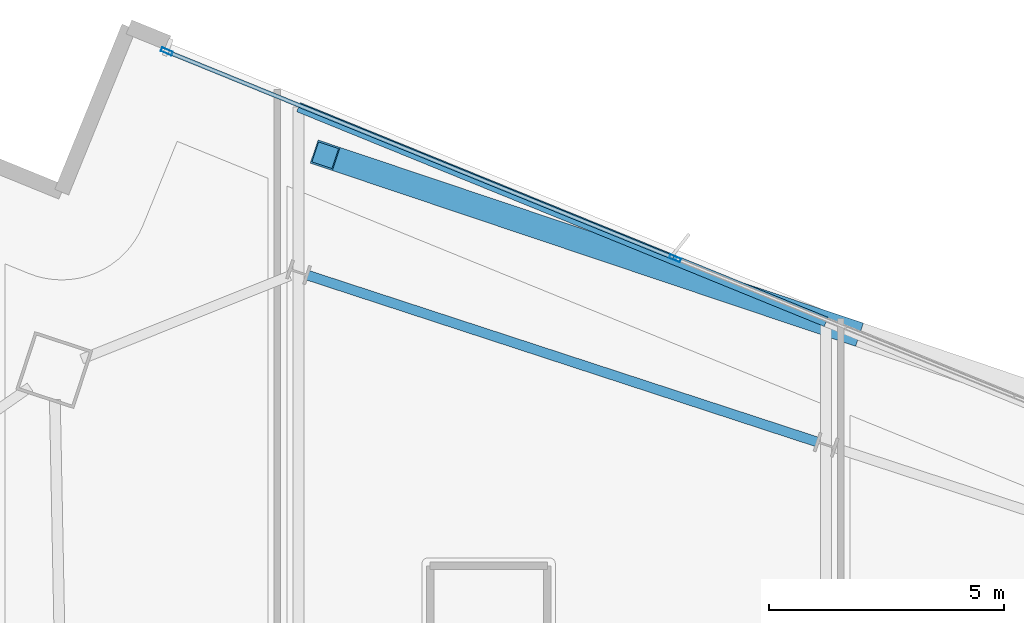
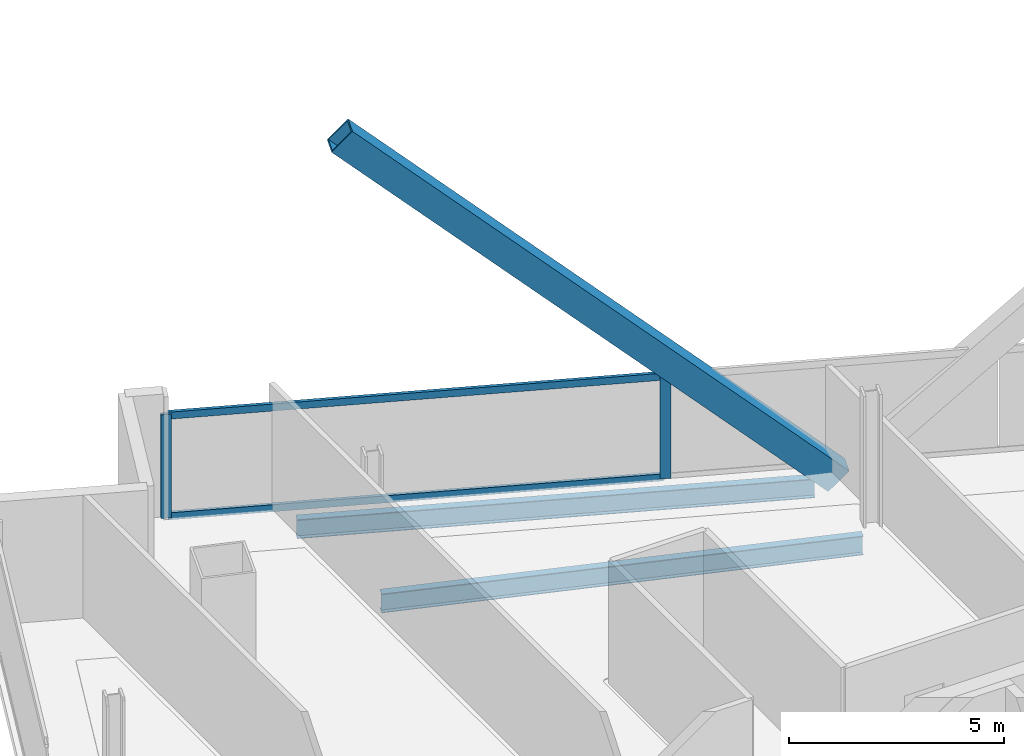
# One storey, part 19 of 31: 5 members, 2 beams, 1 element without a shape of its own.
"""IFC4 building model written with IfcOpenShell, lengths in metres."""

from ifc_helpers import new_model, si_unit, direction, frame, origin, origin_2d, place, context, subcontext, project, spatial, hollow_rectangle, i_section, extrude, material, material_profile, profile_set, type_object, element, aggregate, save


model = new_model("IFC4")

# Units and contexts
model_context = context("Model", 3, precision=1e-05, world=origin(), true_north=direction((0.0, 1.0)))
body_context = subcontext(model_context, "Body", "Model", "MODEL_VIEW")
ifc_project = project(units=[si_unit("LENGTHUNIT", "METRE"), si_unit("AREAUNIT", "SQUARE_METRE"), si_unit("VOLUMEUNIT", "CUBIC_METRE"), si_unit("PLANEANGLEUNIT", "RADIAN"), si_unit("MASSUNIT", "GRAM", prefix="KILO")], contexts=[model_context])

# Site, building, storey
site_placement = place(None, origin())
site = spatial("IfcSite", under=ifc_project, at=site_placement, CompositionType="ELEMENT")
building_placement = place(site_placement, origin())
building = spatial("IfcBuilding", under=site, at=building_placement, Name="Haldenkirk Collegiate Tower", CompositionType="ELEMENT")
storey_placement = place(building_placement, frame((0.0, 0.0, 256.199951171875)))
storey = spatial("IfcBuildingStorey", under=building, at=storey_placement, Name="L64", CompositionType="ELEMENT", Elevation=256.199951171875)

# Beams
ifc_material_1 = material(Name="Steel ASTM A992 Grade 50", Category="steel")
ifc_material_profile_1 = material_profile(ifc_material_1, i_section(OverallWidth=0.2099609375, OverallDepth=0.537109375, WebThickness=0.010986328125, FlangeThickness=0.017333984375, at=origin_2d()), Name="W21X68")
ifc_profile_set_1 = profile_set([ifc_material_profile_1], Name="Steel ASTM A992 Grade 50")
beam_type = type_object("IfcBeamType", Name="BM-SPANDREL-W21X68", PredefinedType="SPANDREL", material=ifc_profile_set_1)
beam_1_placement = place(storey_placement, frame((42.99755859375, 45.54296875, -0.538330078125), z_axis=(-0.950408846531, 0.311003254701, 0.0), x_axis=(-0.311003254701, -0.950408846531, 0.0)))
element("IfcBeam", 1, at=beam_1_placement, inside=storey, type_object=beam_type, Name="L64 perimeter spandrel beam 07", PredefinedType="SPANDREL", context=body_context, shape_type="SweptSolid", body=[
    extrude(i_section(OverallWidth=0.2099609375, OverallDepth=0.537109375, WebThickness=0.010986328125, FlangeThickness=0.017333984375, at=origin_2d()), origin(), (0.0, 0.0, 1.0), 11.421875),
])
beam_2_placement = place(storey_placement, frame((43.18994140625, 48.10009765625, -0.538330078125), z_axis=(-0.92620088154, 0.377030405982, 0.0), x_axis=(-0.377030405982, -0.92620088154, 0.0)))
element("IfcBeam", 2, at=beam_2_placement, inside=storey, type_object=beam_type, Name="L64 outer facade edge beam 2B", PredefinedType="SPANDREL", context=body_context, shape_type="SweptSolid", body=[
    extrude(i_section(OverallWidth=0.2099609375, OverallDepth=0.537109375, WebThickness=0.010986328125, FlangeThickness=0.017333984375, at=origin_2d()), origin(), (0.0, 0.0, 1.0), 12.13623046875),
])

# Curtain wall, members
ifc_material_2 = material(Name="Anodised architectural bronze aluminium", Category="aluminium")
curtain_wall_type = type_object("IfcCurtainWallType", Name="CW-SYS1B-CONVEX-HI", PredefinedType="USERDEFINED", material=ifc_material_2)
curtain_wall_placement = place(storey_placement, origin())
curtain_wall = element("IfcCurtainWall", 3, at=curtain_wall_placement, inside=storey, type_object=curtain_wall_type, Name="L64 Upper tower high-wind convex bronze unitised curtain wall", ObjectType="UNITISED CURTAIN WALL", PredefinedType="USERDEFINED")
ifc_material_profile_2 = material_profile(ifc_material_2, hollow_rectangle(XDim=0.0849609375, YDim=0.25, WallThickness=0.0048828125, at=origin_2d()), Name="CW-MUL-1B")
ifc_profile_set_2 = profile_set([ifc_material_profile_2], Name="Anodised architectural bronze aluminium")
member_type_1 = type_object("IfcMemberType", Name="CW-MUL-1B", PredefinedType="MULLION", material=ifc_profile_set_2)
member_1_placement = place(storey_placement, frame((29.141357421875, 53.8623046875, 0.0), z_axis=(0.0, 0.0, 1.0), x_axis=(0.377034271745, 0.926199307886, 0.0)))
member_1 = element("IfcMember", 4, at=member_1_placement, type_object=member_type_1, Name="CW-1B mullion 1", PredefinedType="MULLION", context=body_context, shape_type="SweptSolid", body=[
    extrude(hollow_rectangle(XDim=0.0849609375, YDim=0.25, WallThickness=0.0048828125, at=origin_2d()), origin(), (0.0, 0.0, 1.0), 2.93798828125),
])
member_2_placement = place(storey_placement, frame((39.96923828125, 49.454345703125, 0.0), z_axis=(0.0, 0.0, 1.0), x_axis=(0.377034271745, 0.926199307886, 0.0)))
member_2 = element("IfcMember", 5, at=member_2_placement, type_object=member_type_1, Name="CW-1B mullion 2", PredefinedType="MULLION", context=body_context, shape_type="SweptSolid", body=[
    extrude(hollow_rectangle(XDim=0.0849609375, YDim=0.25, WallThickness=0.0048828125, at=origin_2d()), origin(), (0.0, 0.0, 1.0), 2.93798828125),
])
ifc_material_profile_3 = material_profile(ifc_material_2, hollow_rectangle(XDim=0.0849609375, YDim=0.199951171875, WallThickness=0.0048828125, at=origin_2d()), Name="CW-TRN-1B")
ifc_profile_set_3 = profile_set([ifc_material_profile_3], Name="Anodised architectural bronze aluminium")
member_type_2 = type_object("IfcMemberType", Name="CW-TRN-1B", PredefinedType="USERDEFINED", material=ifc_profile_set_3)
member_3_placement = place(storey_placement, frame((29.1806640625, 53.84619140625, 0.04248046875), z_axis=(0.926200670133, -0.377030925317, 0.0), x_axis=(0.377030925317, 0.926200670133, 0.0)))
member_3 = element("IfcMember", 6, at=member_3_placement, type_object=member_type_2, Name="CW-1B transom 1.1", ObjectType="TRANSOM", PredefinedType="USERDEFINED", context=body_context, shape_type="SweptSolid", body=[
    extrude(hollow_rectangle(XDim=0.0849609375, YDim=0.199951171875, WallThickness=0.0048828125, at=origin_2d()), origin(), (0.0, 0.0, 1.0), 11.605712890625),
])
member_4_placement = place(storey_placement, frame((29.1806640625, 53.84619140625, 2.8955078125), z_axis=(0.926200670133, -0.377030925317, 0.0), x_axis=(0.377030925317, 0.926200670133, 0.0)))
member_4 = element("IfcMember", 7, at=member_4_placement, type_object=member_type_2, Name="CW-1B transom 1.2", ObjectType="TRANSOM", PredefinedType="USERDEFINED", context=body_context, shape_type="SweptSolid", body=[
    extrude(hollow_rectangle(XDim=0.0849609375, YDim=0.199951171875, WallThickness=0.0048828125, at=origin_2d()), origin(), (0.0, 0.0, 1.0), 11.605712890625),
])
aggregate(curtain_wall, [member_1, member_2, member_3, member_4])

# Member
ifc_material_3 = material(Name="Steel ASTM A572 Grade 50", Category="steel")
ifc_material_profile_4 = material_profile(ifc_material_3, hollow_rectangle(XDim=0.52001953125, YDim=0.719970703125, WallThickness=0.035888671875, at=origin_2d()), Name="BOX720X520X36")
ifc_profile_set_4 = profile_set([ifc_material_profile_4], Name="Steel ASTM A572 Grade 50")
member_type_3 = type_object("IfcMemberType", Name="MBR-MEGABRACE-BOX720X520X36", PredefinedType="BRACE", material=ifc_profile_set_4)
member_5_placement = place(storey_placement, frame((43.665771484375, 47.906494140625, -0.280029296875), z_axis=(-0.684999172817, 0.230048230808, 0.69126980604), x_axis=(-0.318363226153, -0.947968805517, 0.0)))
element("IfcMember", 8, at=member_5_placement, inside=storey, type_object=member_type_3, Name="Perimeter Mega Brace Z5 L64-L66 ER", PredefinedType="BRACE", context=body_context, shape_type="SweptSolid", body=[
    extrude(hollow_rectangle(XDim=0.52001953125, YDim=0.719970703125, WallThickness=0.035888671875, at=origin_2d()), origin(), (0.0, 0.0, 1.0), 16.2744140625),
])

save(model, "model.ifc")
